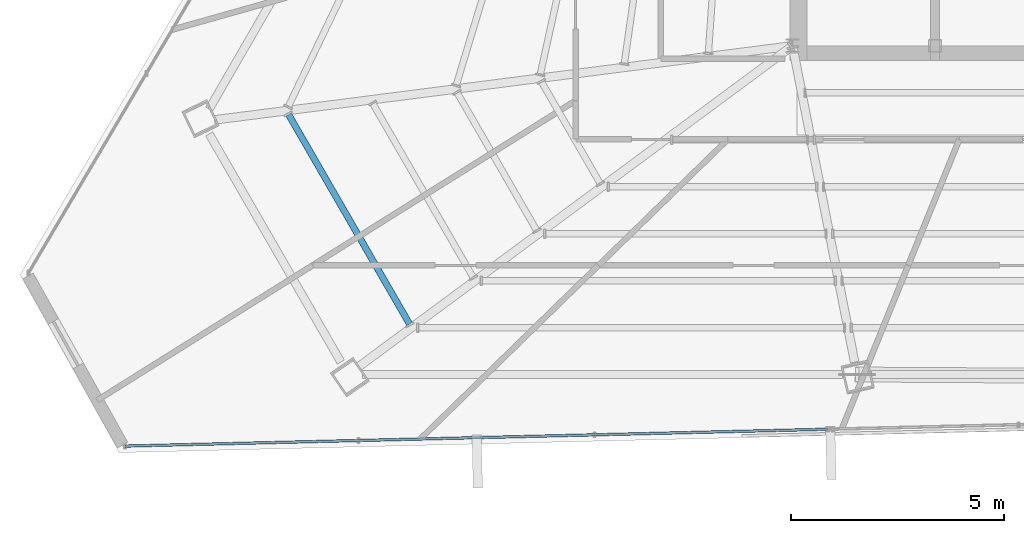
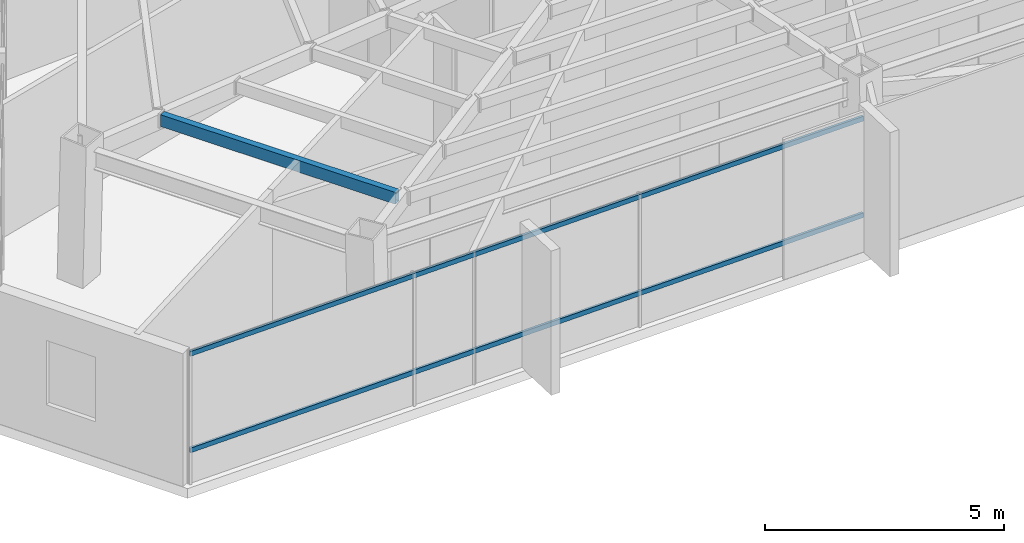
# One storey, part 4 of 48: 2 members, 1 beam, 1 element without a shape of its own.
"""IFC4 building model written with IfcOpenShell, lengths in metres."""

from ifc_helpers import new_model, si_unit, direction, frame, origin, origin_2d, place, context, subcontext, project, spatial, hollow_rectangle, extrude, source, transform, mapped, material, material_profile, profile_set, type_object, type_shapes, element, aggregate, save


model = new_model("IFC4")

# Units and contexts
model_context = context("Model", 3, precision=1e-05, world=origin(), true_north=direction((0.0, 1.0)))
body_context = subcontext(model_context, "Body", "Model", "MODEL_VIEW")
ifc_project = project(units=[si_unit("LENGTHUNIT", "METRE"), si_unit("AREAUNIT", "SQUARE_METRE"), si_unit("VOLUMEUNIT", "CUBIC_METRE"), si_unit("PLANEANGLEUNIT", "RADIAN"), si_unit("MASSUNIT", "GRAM", prefix="KILO")], contexts=[model_context])

# Site, building, storey
site_placement = place(None, origin())
site = spatial("IfcSite", under=ifc_project, at=site_placement, CompositionType="ELEMENT")
building_placement = place(site_placement, origin())
building = spatial("IfcBuilding", under=site, at=building_placement, Name="Caelisora Broadcast Tower", CompositionType="ELEMENT")
storey_placement = place(building_placement, frame((0.0, 0.0, 270.0)))
storey = spatial("IfcBuildingStorey", under=building, at=storey_placement, Name="L71", CompositionType="ELEMENT", Elevation=270.0)

# Beam
ifc_material_1 = material(Name="Steel Grade 350 (AS/NZS 1163 C350L0)", Category="steel")
ifc_material_profile_1 = material_profile(ifc_material_1, hollow_rectangle(XDim=0.14990234375, YDim=0.300048828125, WallThickness=0.010009765625, at=origin_2d()), Name="Steel Grade 350 (AS/NZS 1163 C350L0)")
ifc_profile_set_1 = profile_set([ifc_material_profile_1], Name="Steel Grade 350 (AS/NZS 1163 C350L0)")
beam_type = type_object("IfcBeamType", Name="SB05", PredefinedType="JOIST", material=ifc_profile_set_1)
shared_shape_1 = source(origin(), body_context, "Body", "SweptSolid", [
    extrude(hollow_rectangle(XDim=0.14990234375, YDim=0.300048828125, WallThickness=0.010009765625, at=origin_2d()), origin(), (0.0, 0.0, 1.0), 5.683837890625),
])
type_shapes(beam_type, [shared_shape_1])
beam_placement = place(storey_placement, frame((18.655517578125, 15.7841796875, 3.25), z_axis=(0.499982728352, -0.866035375346, 0.0), x_axis=(0.866035375346, 0.499982728352, 0.0)))
element("IfcBeam", 1, at=beam_placement, inside=storey, type_object=beam_type, Name="L71 beam SB05", PredefinedType="JOIST", context=body_context, shape_type="MappedRepresentation", body=[
    mapped(shared_shape_1, transform((0.0, 0.0, 0.0), scale=1.0)),
])

# Curtain wall, members
ifc_material_2 = material(Name="Unitised Aluminium and Low-E Glass Curtain Wall", Category="glass")
curtain_wall_type = type_object("IfcCurtainWallType", Name="CW-Z5", PredefinedType="NOTDEFINED", material=ifc_material_2)
curtain_wall_placement = place(storey_placement, origin())
curtain_wall = element("IfcCurtainWall", 2, at=curtain_wall_placement, inside=storey, type_object=curtain_wall_type, Name="L71 curtain wall CW-Z5", PredefinedType="NOTDEFINED")
ifc_material_3 = material(Name="Aluminium 6063-T6 Anodised Terracotta Bronze", Category="aluminium")
ifc_material_profile_2 = material_profile(ifc_material_3, hollow_rectangle(XDim=0.06005859375, YDim=0.1201171875, WallThickness=0.0029296875, at=origin_2d()), Name="Aluminium 6063-T6 Anodised Terracotta Bronze")
ifc_profile_set_2 = profile_set([ifc_material_profile_2], Name="Aluminium 6063-T6 Anodised Terracotta Bronze")
member_type = type_object("IfcMemberType", Name="CWT-03", PredefinedType="USERDEFINED", material=ifc_profile_set_2)
shared_shape_2 = source(origin(), body_context, "Body", "SweptSolid", [
    extrude(hollow_rectangle(XDim=0.06005859375, YDim=0.1201171875, WallThickness=0.0029296875, at=origin_2d()), origin(), (0.0, 0.0, 1.0), 16.524169921875),
])
type_shapes(member_type, [shared_shape_2])
member_1_placement = place(storey_placement, frame((31.333251953125, 8.38818359375, 0.85009765625), z_axis=(-0.999711383909, -0.024023923122, 0.0), x_axis=(0.024023923122, -0.999711383909, 0.0)))
member_1 = element("IfcMember", 3, at=member_1_placement, type_object=member_type, Name="L71-CW-B07 transom #1", ObjectType="TRANSOM", PredefinedType="USERDEFINED", context=body_context, shape_type="MappedRepresentation", body=[
    mapped(shared_shape_2, transform((0.0, 0.0, 0.0), scale=1.0)),
])
member_2_placement = place(storey_placement, frame((31.333251953125, 8.38818359375, 3.320068359375), z_axis=(-0.999711383909, -0.024023923122, 0.0), x_axis=(0.024023923122, -0.999711383909, 0.0)))
member_2 = element("IfcMember", 4, at=member_2_placement, type_object=member_type, Name="L71-CW-B07 transom #2", ObjectType="TRANSOM", PredefinedType="USERDEFINED", context=body_context, shape_type="MappedRepresentation", body=[
    mapped(shared_shape_2, transform((0.0, 0.0, 0.0), scale=1.0)),
])
aggregate(curtain_wall, [member_1, member_2])

save(model, "model.ifc")
